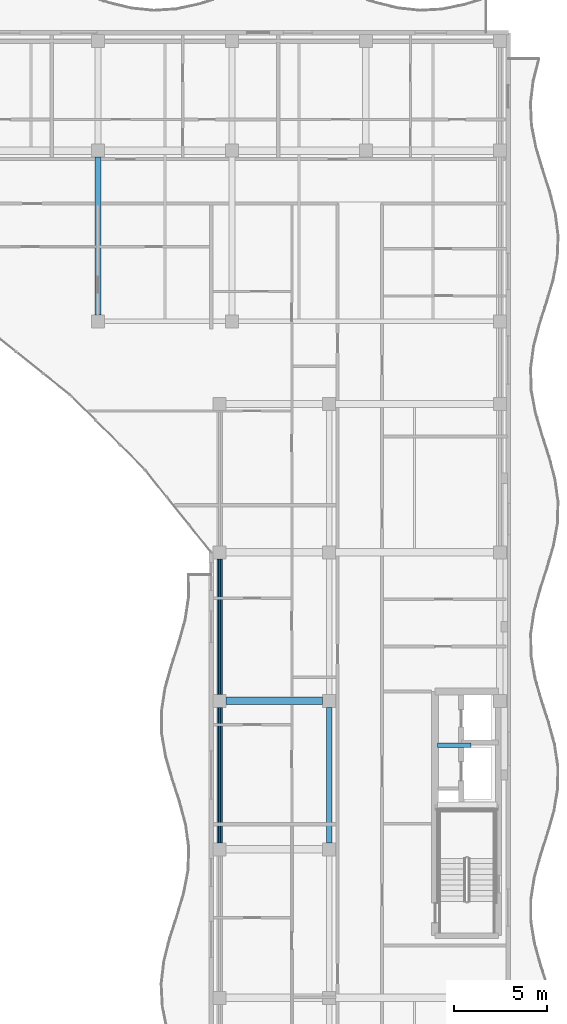
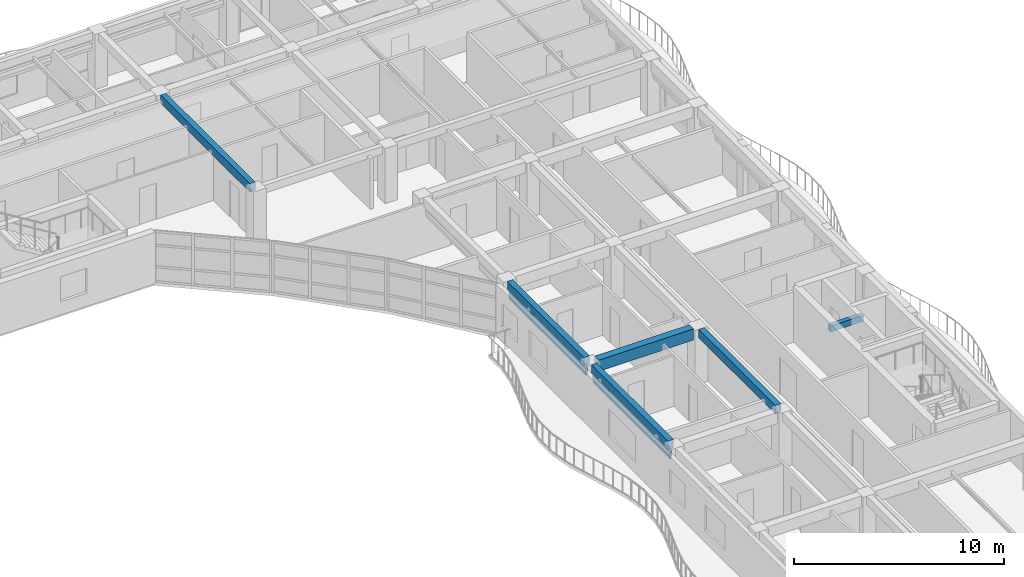
# One storey, part 33 of 89: 6 beams, 4 members.
"""IFC4 building model written with IfcOpenShell, lengths in metres."""

from ifc_helpers import new_model, si_unit, direction, frame, origin, origin_2d, place, context, subcontext, project, spatial, rectangle, hollow_rectangle, extrude, material, material_profile, profile_set, type_object, element, save


model = new_model("IFC4")

# Units and contexts
model_context = context("Model", 3, precision=1e-05, world=origin(), true_north=direction((0.0, 1.0)))
body_context = subcontext(model_context, "Body", "Model", "MODEL_VIEW")
ifc_project = project(units=[si_unit("LENGTHUNIT", "METRE"), si_unit("AREAUNIT", "SQUARE_METRE"), si_unit("VOLUMEUNIT", "CUBIC_METRE"), si_unit("PLANEANGLEUNIT", "RADIAN"), si_unit("MASSUNIT", "GRAM", prefix="KILO")], contexts=[model_context])

# Site, building, storey
site_placement = place(None, origin())
site = spatial("IfcSite", under=ifc_project, at=site_placement, CompositionType="ELEMENT")
building_placement = place(site_placement, origin())
building = spatial("IfcBuilding", under=site, at=building_placement, Name="Keldmere Railside Commons", CompositionType="ELEMENT")
storey_placement = place(building_placement, frame((0.0, 0.0, 7.360107421875)))
storey = spatial("IfcBuildingStorey", under=building, at=storey_placement, Name="L02", CompositionType="ELEMENT", Elevation=7.360107421875)

# Members
ifc_material_1 = material(Name="Steel F-36 (S355)", Category="steel")
ifc_material_profile_1 = material_profile(ifc_material_1, hollow_rectangle(XDim=0.14990234375, YDim=0.25, WallThickness=0.010009765625, at=origin_2d()), Name="RHS-250x150x10")
ifc_profile_set_1 = profile_set([ifc_material_profile_1], Name="Steel F-36 (S355)")
member_type_1 = type_object("IfcMemberType", Name="Balcony Continuous Planted Trough RHS250x150", PredefinedType="CHORD", material=ifc_profile_set_1)
for number, where, z_axis, x_axis, name in (
    (1, (168.449951171875, 72.35009765625, 2.414794921875), (0.0, 1.0, 0.0), (-1.0, 0.0, 0.0), "PLT-1 MEM-BPLT-0313"),
    (2, (168.449951171875, 80.35009765625, 2.414794921875), (0.0, 1.0, 0.0), (-1.0, 0.0, 0.0), "PLT-1 MEM-BPLT-0315"),
):
    element("IfcMember", number, at=place(storey_placement, frame(where, z_axis=z_axis, x_axis=x_axis)), inside=storey, type_object=member_type_1, Name=name, PredefinedType="CHORD", context=body_context, shape_type="SweptSolid", body=[
        extrude(hollow_rectangle(XDim=0.14990234375, YDim=0.25, WallThickness=0.010009765625, at=origin_2d()), origin(), (0.0, 0.0, 1.0), 7.2998046875),
    ])

# Beams
ifc_material_2 = material(Name="Concrete H-30 (C30/37)", Category="concrete")
ifc_material_profile_2 = material_profile(ifc_material_2, rectangle(XDim=0.25, YDim=0.35009765625, at=origin_2d()), Name="RC-250x350")
ifc_profile_set_2 = profile_set([ifc_material_profile_2], Name="Concrete H-30 (C30/37)")
beam_type_1 = type_object("IfcBeamType", Name="Masonry Opening RC Lintel 250x350", PredefinedType="LINTEL", material=ifc_profile_set_2)
beam_1_placement = place(storey_placement, frame((180.18994140625, 77.60009765625, 2.4248046875), z_axis=(1.0, 0.0, 0.0), x_axis=(0.0, 1.0, 0.0)))
element("IfcBeam", 3, at=beam_1_placement, inside=storey, type_object=beam_type_1, Name="LNT-1 BM-L02-2568", PredefinedType="LINTEL", context=body_context, shape_type="SweptSolid", body=[
    extrude(rectangle(XDim=0.25, YDim=0.35009765625, at=origin_2d()), origin(), (0.0, 0.0, 1.0), 1.81005859375),
])
ifc_material_profile_3 = material_profile(ifc_material_2, rectangle(XDim=0.39990234375, YDim=0.64990234375, at=origin_2d()), Name="RC-400x650")
ifc_profile_set_3 = profile_set([ifc_material_profile_3], Name="Concrete H-30 (C30/37)")
beam_type_2 = type_object("IfcBeamType", Name="Residential Spine RC Girder 400x650", PredefinedType="BEAM", material=ifc_profile_set_3)
beam_2_placement = place(storey_placement, frame((168.800048828125, 80.0, 2.875), z_axis=(1.0, 0.0, 0.0), x_axis=(0.0, 1.0, 0.0)))
element("IfcBeam", 4, at=beam_2_placement, inside=storey, type_object=beam_type_2, Name="BG-3 BM-L02-1091", PredefinedType="BEAM", context=body_context, shape_type="SweptSolid", body=[
    extrude(rectangle(XDim=0.39990234375, YDim=0.64990234375, at=origin_2d()), origin(), (0.0, 0.0, 1.0), 5.199951171875),
])
ifc_material_profile_4 = material_profile(ifc_material_2, rectangle(XDim=0.300048828125, YDim=0.5, at=origin_2d()), Name="RC-300x500")
ifc_profile_set_4 = profile_set([ifc_material_profile_4], Name="Concrete H-30 (C30/37)")
beam_type_3 = type_object("IfcBeamType", Name="Secondary Frame RC Beam 300x500", PredefinedType="BEAM", material=ifc_profile_set_4)
beam_3_placement = place(storey_placement, frame((161.889892578125, 100.800048828125, 2.949951171875), z_axis=(0.0, 1.0, 0.0), x_axis=(-1.0, 0.0, 0.0)))
element("IfcBeam", 5, at=beam_3_placement, inside=storey, type_object=beam_type_3, Name="BG-5 BM-L02-1242", PredefinedType="BEAM", context=body_context, shape_type="SweptSolid", body=[
    extrude(rectangle(XDim=0.300048828125, YDim=0.5, at=origin_2d()), origin(), (0.0, 0.0, 1.0), 8.5),
])
for number, where, z_axis, x_axis, name in (
    (6, (168.449951171875, 72.35009765625, 2.949951171875), (0.0, 1.0, 0.0), (-1.0, 0.0, 0.0), "BG-5 BM-L02-1249"),
    (7, (168.449951171875, 80.35009765625, 2.949951171875), (0.0, 1.0, 0.0), (-1.0, 0.0, 0.0), "BG-5 BM-L02-1250"),
    (8, (174.35009765625, 72.35009765625, 2.949951171875), (0.0, 1.0, 0.0), (-1.0, 0.0, 0.0), "BG-5 BM-L02-1256"),
):
    element("IfcBeam", number, at=place(storey_placement, frame(where, z_axis=z_axis, x_axis=x_axis)), inside=storey, type_object=beam_type_3, Name=name, PredefinedType="BEAM", context=body_context, shape_type="SweptSolid", body=[
        extrude(rectangle(XDim=0.300048828125, YDim=0.5, at=origin_2d()), origin(), (0.0, 0.0, 1.0), 7.2998046875),
    ])

# Members
ifc_material_profile_5 = material_profile(ifc_material_1, hollow_rectangle(XDim=0.10009765625, YDim=0.159912109375, WallThickness=0.008056640625, at=origin_2d()), Name="RHS-160x100x8")
ifc_profile_set_5 = profile_set([ifc_material_profile_5], Name="Steel F-36 (S355)")
member_type_2 = type_object("IfcMemberType", Name="Solar Brise-Soleil Louvre Fin RHS160x100", PredefinedType="STRUT", material=ifc_profile_set_5)
for number, where, z_axis, x_axis, name in (
    (9, (168.449951171875, 72.35009765625, 2.199951171875), (0.0, 1.0, 0.0), (-1.0, 0.0, 0.0), "BSF-1 MEM-BSF-0314"),
    (10, (168.449951171875, 80.35009765625, 2.199951171875), (0.0, 1.0, 0.0), (-1.0, 0.0, 0.0), "BSF-1 MEM-BSF-0316"),
):
    element("IfcMember", number, at=place(storey_placement, frame(where, z_axis=z_axis, x_axis=x_axis)), inside=storey, type_object=member_type_2, Name=name, PredefinedType="STRUT", context=body_context, shape_type="SweptSolid", body=[
        extrude(hollow_rectangle(XDim=0.10009765625, YDim=0.159912109375, WallThickness=0.008056640625, at=origin_2d()), origin(), (0.0, 0.0, 1.0), 7.2998046875),
    ])

save(model, "model.ifc")
